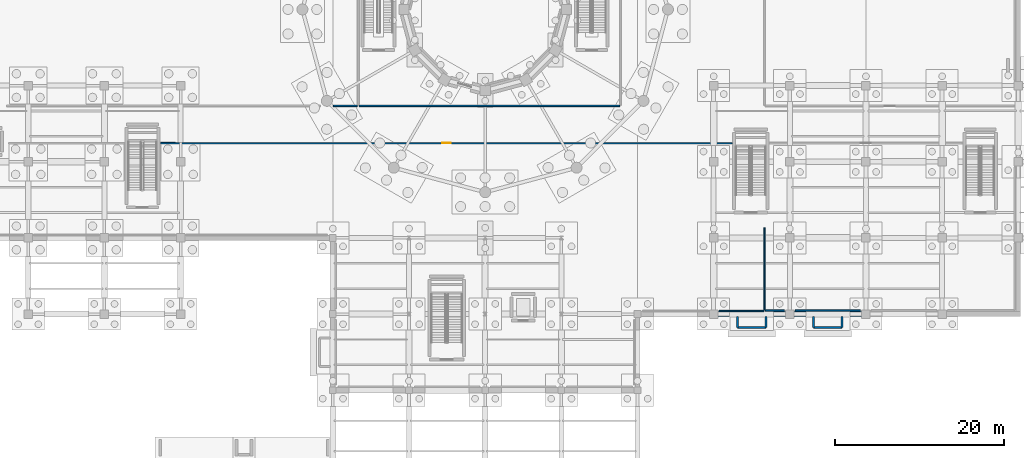
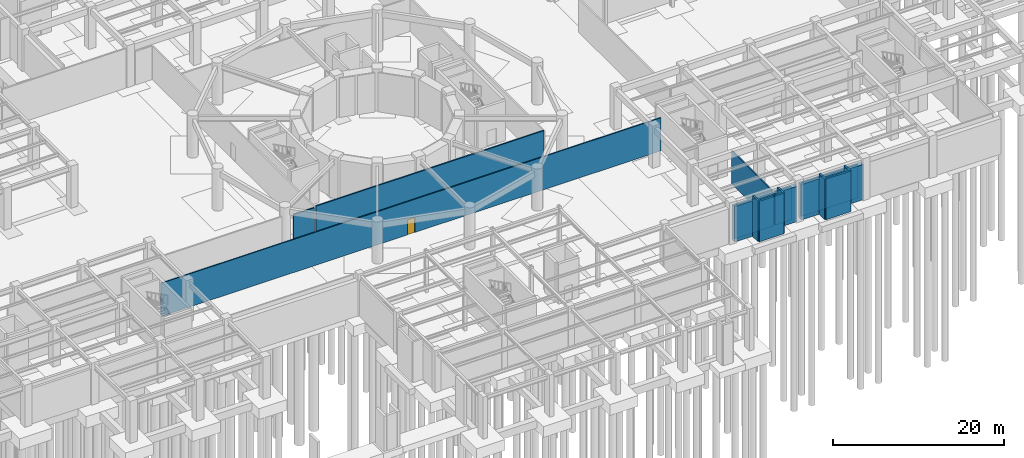
# One storey, part 18 of 36: 15 walls, 1 door, 1 opening.
"""IFC4 building model written with IfcOpenShell, lengths in metres."""

from ifc_helpers import new_model, si_unit, direction, frame, frame_2d, origin, place, context, subcontext, project, spatial, rectangle, extrude, material, layer, layer_set, type_object, element, fill, save


model = new_model("IFC4")

# Units and contexts
model_context = context("Model", 3, precision=1e-05, world=origin(), true_north=direction((0.0, 1.0)))
body_context = subcontext(model_context, "Body", "Model", "MODEL_VIEW")
ifc_project = project(units=[si_unit("LENGTHUNIT", "METRE"), si_unit("AREAUNIT", "SQUARE_METRE"), si_unit("VOLUMEUNIT", "CUBIC_METRE"), si_unit("PLANEANGLEUNIT", "RADIAN"), si_unit("MASSUNIT", "GRAM", prefix="KILO")], contexts=[model_context])

# Site, building, storey
site_placement = place(None, origin())
site = spatial("IfcSite", under=ifc_project, at=site_placement, CompositionType="ELEMENT")
building_placement = place(site_placement, origin())
building = spatial("IfcBuilding", under=site, at=building_placement, Name="Haizhuo Lancet Aquarium", CompositionType="ELEMENT")
storey_placement = place(building_placement, frame((0.0, 0.0, -6.0)))
storey = spatial("IfcBuildingStorey", under=building, at=storey_placement, Name="B1", CompositionType="ELEMENT", Elevation=-6.0)

# Walls
ifc_material_1 = material(Name="Concrete C40/50", Category="concrete")
ifc_layer_1 = layer(ifc_material_1, 0.179931640625)
ifc_layer_set_1 = layer_set([ifc_layer_1], Name="Concrete C40/50")
wall_type_1 = type_object("IfcWallType", Name="IWL-LAB-180", PredefinedType="PARTITIONING", material=ifc_layer_set_1)
wall_1_placement = place(storey_placement, frame((-17.946044921875, -11.39599609375, 0.0), z_axis=(0.0, 0.0, 1.0), x_axis=(0.999999058033, -0.001372564547, 0.0)))
element("IfcWall", 1, at=wall_1_placement, inside=storey, type_object=wall_type_1, Name="B1 partition wall 36", PredefinedType="PARTITIONING", context=body_context, shape_type="SweptSolid", body=[
    extrude(rectangle(XDim=2.845947265625, YDim=0.179931640625, at=frame_2d((1.4228515625, 0.0))), origin(), (0.0, 0.0, 1.0), 4.735107421875),
])
wall_2_placement = place(storey_placement, frame((33.10009765625, -35.60009765625, 0.0), z_axis=(0.0, 0.0, 1.0), x_axis=(1.0, 0.0, 0.0)))
element("IfcWall", 2, at=wall_2_placement, inside=storey, type_object=wall_type_1, Name="B1 partition wall 50", PredefinedType="PARTITIONING", context=body_context, shape_type="SweptSolid", body=[
    extrude(rectangle(XDim=2.260009765625, YDim=0.179931640625, at=frame_2d((1.1298828125, 0.0))), origin(), (0.0, 0.0, 1.0), 4.784912109375),
])
wall_3_placement = place(storey_placement, frame((36.64990234375, -35.60009765625, 0.0), z_axis=(0.0, 0.0, 1.0), x_axis=(1.0, 0.0, 0.0)))
element("IfcWall", 3, at=wall_3_placement, inside=storey, type_object=wall_type_1, Name="B1 partition wall 51", PredefinedType="PARTITIONING", context=body_context, shape_type="SweptSolid", body=[
    extrude(rectangle(XDim=7.7001953125, YDim=0.179931640625, at=frame_2d((3.85009765625, 0.0))), origin(), (0.0, 0.0, 1.0), 4.784912109375),
])
wall_4_placement = place(storey_placement, frame((-14.89990234375, -11.39990234375, 0.0), z_axis=(0.0, 0.0, 1.0), x_axis=(1.0, 0.0, 0.0)))
element("IfcWall", 4, at=wall_4_placement, inside=storey, type_object=wall_type_1, Name="B1 partition wall 73", PredefinedType="PARTITIONING", context=body_context, shape_type="SweptSolid", body=[
    extrude(rectangle(XDim=30.7998046875, YDim=0.179931640625, at=frame_2d((15.39990234375, 0.0))), origin(), (0.0, 0.0, 1.0), 4.885009765625),
])
ifc_material_2 = material(Name="Gypsum Fireboard Partition")
ifc_layer_2 = layer(ifc_material_2, 0.14990234375)
ifc_layer_set_2 = layer_set([ifc_layer_2], Name="Gypsum Fireboard Partition")
wall_type_2 = type_object("IfcWallType", Name="IWL-STD-150", PredefinedType="PARTITIONING", material=ifc_layer_set_2)
wall_5_placement = place(storey_placement, frame((27.64990234375, -35.64990234375, 0.0), z_axis=(0.0, 0.0, 1.0), x_axis=(1.0, 0.0, 0.0)))
element("IfcWall", 5, at=wall_5_placement, inside=storey, type_object=wall_type_2, Name="B1 partition wall 30", PredefinedType="PARTITIONING", context=body_context, shape_type="SweptSolid", body=[
    extrude(rectangle(XDim=5.25, YDim=0.14990234375, at=frame_2d((2.625, 0.0))), origin(), (0.0, 0.0, 1.0), 4.784912109375),
])
wall_6_placement = place(storey_placement, frame((32.998046875, -35.570068359375, 0.0), z_axis=(0.0, 0.0, 1.0), x_axis=(0.0, 1.0, 0.0)))
element("IfcWall", 6, at=wall_6_placement, inside=storey, type_object=wall_type_2, Name="B1 partition wall 31", PredefinedType="PARTITIONING", context=body_context, shape_type="SweptSolid", body=[
    extrude(rectangle(XDim=9.7451171875, YDim=0.14990234375, at=frame_2d((4.87255859375, 0.0))), origin(), (0.0, 0.0, 1.0), 4.784912109375),
])

# Wall, opening, door
wall_7_placement = place(storey_placement, frame((29.169921875, -15.802001953125, 0.0), z_axis=(0.0, 0.0, 1.0), x_axis=(-0.999999999582, 2.8922318e-05, 0.0)))
wall_7 = element("IfcWall", 7, at=wall_7_placement, inside=storey, type_object=wall_type_2, Name="B1 partition wall 32", PredefinedType="PARTITIONING", context=body_context, shape_type="SweptSolid", body=[
    extrude(rectangle(XDim=67.530029296875, YDim=0.14990234375, at=frame_2d((33.76513671875, 0.0))), origin(), (0.0, 0.0, 1.0), 4.735107421875),
])
opening_placement = place(wall_7_placement, frame((33.264892578125, 0.0, 0.0)))
opening = element("IfcOpeningElement", 8, at=opening_placement, cuts=wall_7, Name="Opening D-06", PredefinedType="OPENING", context=body_context, shape_type="SweptSolid", body=[
    extrude(rectangle(XDim=1.0, YDim=2.14990234375, at=frame_2d((0.5, 1.074951171875))), frame((0.0, 0.0849609375, 0.0), z_axis=(0.0, -1.0, 0.0), x_axis=(1.0, 0.0, 0.0)), (0.0, 0.0, 1.0), 0.169902),
])
ifc_material_3 = material(Name="Aluminium 6063-T6", Category="aluminium")
door_type = type_object("IfcDoorType", Name="IDR-OFF-1000x2150", OperationType="NOTDEFINED", PredefinedType="DOOR", material=ifc_material_3)
door_placement = place(opening_placement, origin())
door = element("IfcDoor", 9, at=door_placement, inside=storey, type_object=door_type, Name="B1 B1 Parking Garage door", OperationType="SINGLE_SWING_LEFT", OverallHeight=2.14990234375, OverallWidth=1.0, PredefinedType="DOOR", context=body_context, shape_type="SweptSolid", body=[
    extrude(rectangle(XDim=1.0, YDim=2.14990234375, at=frame_2d((0.5, 1.074951171875))), frame((0.0, 0.02490234375, 0.0), z_axis=(0.0, -1.0, 0.0), x_axis=(1.0, 0.0, 0.0)), (0.0, 0.0, 1.0), 0.050048828125),
])
fill(opening, door)

# Walls
ifc_layer_3 = layer(ifc_material_1, 0.35009765625)
ifc_layer_set_3 = layer_set([ifc_layer_3], Name="Concrete C40/50")
wall_type_3 = type_object("IfcWallType", Name="WL-CORE-350", PredefinedType="SHEAR", material=ifc_layer_set_3)
for number, where, z_axis, x_axis, name in (
    (10, (29.820068359375, -37.580078125, 0.0), (0.0, 0.0, 1.0), (0.0, 1.0, 0.0), "Entrance apron skirt wall 6.1"),
    (11, (33.179931640625, -36.284912109375, 0.0), (0.0, 0.0, 1.0), (0.0, -1.0, 0.0), "Entrance apron skirt wall 6.2"),
):
    element("IfcWall", number, at=place(storey_placement, frame(where, z_axis=z_axis, x_axis=x_axis)), inside=storey, type_object=wall_type_3, material=ifc_material_1, Name=name, PredefinedType="SOLIDWALL", context=body_context, shape_type="SweptSolid", body=[
        extrude(rectangle(XDim=1.295166015625, YDim=0.25, at=frame_2d((0.6474609375, 0.0))), origin(), (0.0, 0.0, 1.0), 5.800048828125),
    ])
wall_8_placement = place(storey_placement, frame((33.179931640625, -37.580078125, 0.0), z_axis=(0.0, 0.0, 1.0), x_axis=(-1.0, 0.0, 0.0)))
element("IfcWall", 12, at=wall_8_placement, inside=storey, type_object=wall_type_3, material=ifc_material_1, Name="Entrance apron skirt wall 6.3", PredefinedType="SOLIDWALL", context=body_context, shape_type="SweptSolid", body=[
    extrude(rectangle(XDim=3.35986328125, YDim=0.25, at=frame_2d((1.679931640625, 0.0))), origin(), (0.0, 0.0, 1.0), 5.800048828125),
])
for number, where, z_axis, x_axis, name in (
    (13, (38.820068359375, -37.580078125, 0.0), (0.0, 0.0, 1.0), (0.0, 1.0, 0.0), "Entrance apron skirt wall 7.1"),
    (14, (42.179931640625, -36.284912109375, 0.0), (0.0, 0.0, 1.0), (0.0, -1.0, 0.0), "Entrance apron skirt wall 7.2"),
):
    element("IfcWall", number, at=place(storey_placement, frame(where, z_axis=z_axis, x_axis=x_axis)), inside=storey, type_object=wall_type_3, material=ifc_material_1, Name=name, PredefinedType="SOLIDWALL", context=body_context, shape_type="SweptSolid", body=[
        extrude(rectangle(XDim=1.295166015625, YDim=0.25, at=frame_2d((0.6474609375, 0.0))), origin(), (0.0, 0.0, 1.0), 5.800048828125),
    ])
wall_9_placement = place(storey_placement, frame((42.179931640625, -37.580078125, 0.0), z_axis=(0.0, 0.0, 1.0), x_axis=(-1.0, 0.0, 0.0)))
element("IfcWall", 15, at=wall_9_placement, inside=storey, type_object=wall_type_3, material=ifc_material_1, Name="Entrance apron skirt wall 7.3", PredefinedType="SOLIDWALL", context=body_context, shape_type="SweptSolid", body=[
    extrude(rectangle(XDim=3.35986328125, YDim=0.25, at=frame_2d((1.679931640625, 0.0))), origin(), (0.0, 0.0, 1.0), 5.800048828125),
])
ifc_material_4 = material(Name="Concrete C45/55", Category="concrete")
ifc_layer_4 = layer(ifc_material_4, 0.60009765625)
ifc_layer_set_4 = layer_set([ifc_layer_4], Name="Concrete C45/55")
wall_type_4 = type_object("IfcWallType", Name="WL-RET-600", PredefinedType="USERDEFINED", material=ifc_layer_set_4)
for number, where, z_axis, x_axis, name in (
    (16, (27.300048828125, -36.0, 0.0), (0.0, 0.0, 1.0), (1.0, 0.0, 0.0), "B1 waterproof perimeter retaining wall 5.2"),
    (17, (36.300048828125, -36.0, 0.0), (0.0, 0.0, 1.0), (1.0, 0.0, 0.0), "B1 waterproof perimeter retaining wall 5.3"),
):
    element("IfcWall", number, at=place(storey_placement, frame(where, z_axis=z_axis, x_axis=x_axis)), inside=storey, type_object=wall_type_4, Name=name, ObjectType="RETAININGWALL", PredefinedType="USERDEFINED", context=body_context, shape_type="SweptSolid", body=[
        extrude(rectangle(XDim=8.39990234375, YDim=0.60009765625, at=frame_2d((4.199951171875, 0.0))), origin(), (0.0, 0.0, 1.0), 5.050048828125),
    ])

save(model, "model.ifc")
